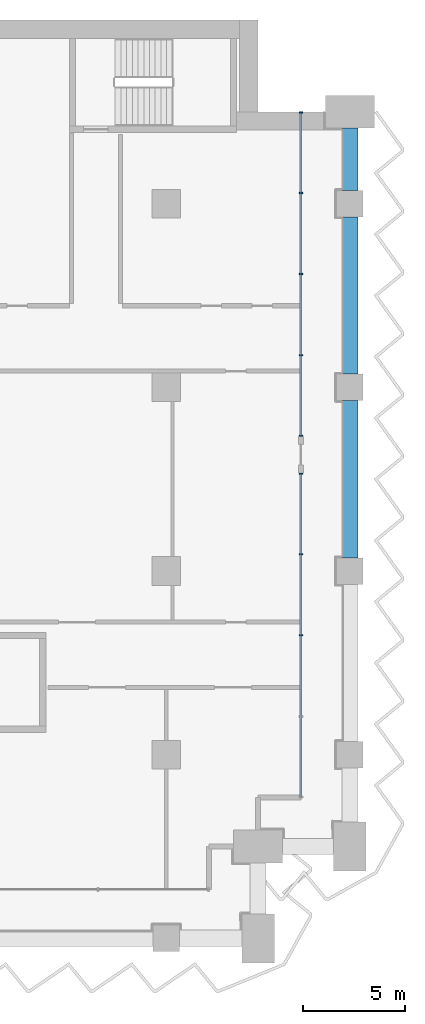
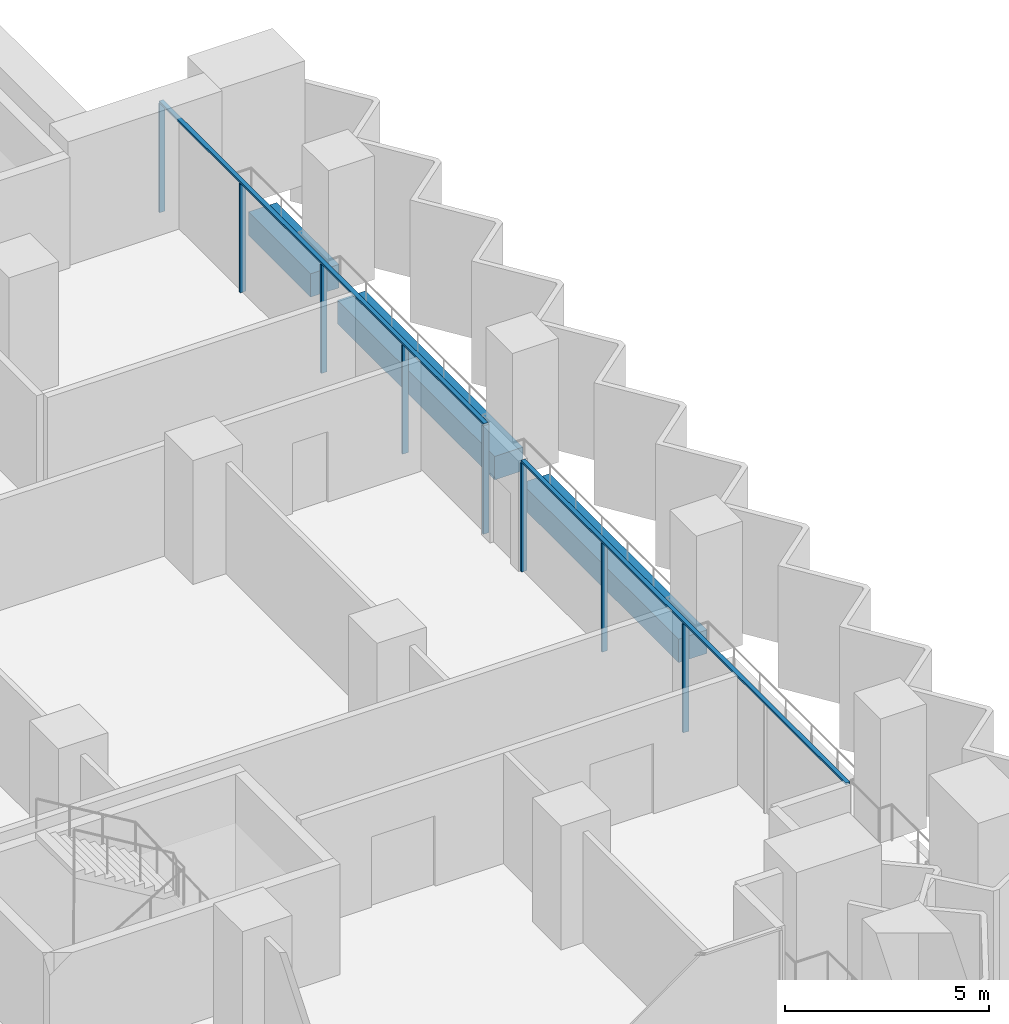
# One storey, part 7 of 28: 10 members, 3 beams, 2 elements without a shape of their own.
"""IFC4 building model written with IfcOpenShell, lengths in metres."""

import ifcopenshell
import ifcopenshell.guid

model = None  # the IFC model being written
_history = None  # IfcOwnerHistory: only IFC2X3 demands one
_inside = {}  # id of a spatial element -> (the spatial element, [elements in it])
_under = {}  # id of a project, library or spatial element -> (it, [spatial elements below it])
_declared = {}  # id of a project -> (the project, [libraries it declares])
_typed = {}  # id of a type object -> (the type object, [elements of that type])
_made_of = {}  # id of a material, layer set ... -> (it, [elements and type objects made of it])


def new_model(schema):
    """Start an empty IFC model of exactly this schema.

    Asked for "IFC4X3", IfcOpenShell would pick the latest addendum, in which some entities
    have other attributes; the version numbers below select the first issue.
    IFC2X3 requires an IfcOwnerHistory on every rooted entity: one is made here for all.
    """
    global model, _history
    if schema == "IFC4X3":
        model = ifcopenshell.file(schema_version=(4, 3, 0, 0))
    else:
        model = ifcopenshell.file(schema=schema)
    _inside.clear()
    _under.clear()
    _declared.clear()
    _typed.clear()
    _made_of.clear()
    _history = None
    if model.schema == "IFC2X3":
        org = make("IfcOrganization", Name="unknown")
        user = make(
            "IfcPersonAndOrganization",
            ThePerson=make("IfcPerson", FamilyName="unknown"),
            TheOrganization=org,
        )
        app = make(
            "IfcApplication",
            ApplicationDeveloper=org,
            Version="unknown",
            ApplicationFullName="unknown",
            ApplicationIdentifier="unknown",
        )
        _history = make(
            "IfcOwnerHistory",
            OwningUser=user,
            OwningApplication=app,
            ChangeAction="ADDED",
            CreationDate=0,
        )
    return model


def make(cls, **values):
    """One entity of the class cls with the attributes given. An attribute that is None is left unset."""
    return model.create_entity(
        cls, **{name: value for name, value in values.items() if value is not None}
    )


def rooted(cls, **values):
    """An entity with a GlobalId (a new one), such as an element, a storey or a relation."""
    return make(cls, GlobalId=ifcopenshell.guid.new(), OwnerHistory=_history, **values)


def si_unit(unit_type, name, prefix=None):
    """IfcSIUnit, for example si_unit("LENGTHUNIT", "METRE", prefix="MILLI")."""
    return make("IfcSIUnit", UnitType=unit_type, Prefix=prefix, Name=name)


def assignment(units):
    """IfcUnitAssignment: the units of a project."""
    return None if units is None else make("IfcUnitAssignment", Units=units)


def point(xyz):
    """IfcCartesianPoint."""
    return None if xyz is None else make("IfcCartesianPoint", Coordinates=xyz)


def direction(xyz):
    """IfcDirection."""
    return None if xyz is None else make("IfcDirection", DirectionRatios=xyz)


def frame(location, z_axis=None, x_axis=None):
    """IfcAxis2Placement3D, a coordinate frame: its origin and axes. An axis left out is left unset."""
    return make(
        "IfcAxis2Placement3D",
        Location=point(location),
        Axis=direction(z_axis),
        RefDirection=direction(x_axis),
    )


def frame_2d(location, x_axis=None):
    """IfcAxis2Placement2D, a coordinate frame in the plane: its origin and x axis."""
    return make(
        "IfcAxis2Placement2D", Location=point(location), RefDirection=direction(x_axis)
    )


def origin():
    """The frame at (0, 0, 0) with its axes left unset."""
    return frame((0.0, 0.0, 0.0))


def origin_2d():
    """The frame at (0, 0) in the plane with its x axis left unset."""
    return frame_2d((0.0, 0.0))


def place(relative_to, where):
    """IfcLocalPlacement: puts the frame where relative to a parent placement (None: the world)."""
    return make(
        "IfcLocalPlacement", PlacementRelTo=relative_to, RelativePlacement=where
    )


def context(
    kind, dimensions, precision=None, world=None, true_north=None, identifier=None
):
    """IfcGeometricRepresentationContext, for example the 3D "Model" context."""
    return make(
        "IfcGeometricRepresentationContext",
        ContextIdentifier=identifier,
        ContextType=kind,
        CoordinateSpaceDimension=dimensions,
        Precision=precision,
        WorldCoordinateSystem=world,
        TrueNorth=true_north,
    )


def subcontext(parent, identifier, kind, view, scale=None):
    """IfcGeometricRepresentationSubContext, for example "Body" below "Model"."""
    return make(
        "IfcGeometricRepresentationSubContext",
        ContextIdentifier=identifier,
        ContextType=kind,
        ParentContext=parent,
        TargetScale=scale,
        TargetView=view,
    )


def project(units=None, contexts=None):
    """IfcProject with its units and contexts."""
    return rooted(
        "IfcProject",
        Name="project",
        RepresentationContexts=contexts,
        UnitsInContext=assignment(units),
    )


def spatial(cls, under=None, at=None, **own):
    """A site, building, storey or space (cls), placed at a placement, below another one or the project."""
    s = rooted(cls, ObjectPlacement=at, **own)
    if under is not None:
        _under.setdefault(under.id(), (under, []))[1].append(s)
    return s


def profile(cls, at=None, kind="AREA", **sizes):
    """A parametric profile (cls). Its sizes go by their IFC names, for example OverallWidth=200.0."""
    return make(cls, ProfileType=kind, Position=at, **sizes)


def rectangle(**sizes):
    """IfcRectangleProfileDef."""
    return profile("IfcRectangleProfileDef", **sizes)


def extrude(swept, where, along, depth):
    """IfcExtrudedAreaSolid: the profile swept, set in the frame where, extruded along a direction by depth."""
    return make(
        "IfcExtrudedAreaSolid",
        SweptArea=swept,
        Position=where,
        ExtrudedDirection=direction(along),
        Depth=depth,
    )


def shape(context_of_items, identifier, shape_type, items):
    """IfcShapeRepresentation: the items that make up one representation, for example the "Body"."""
    return make(
        "IfcShapeRepresentation",
        ContextOfItems=context_of_items,
        RepresentationIdentifier=identifier,
        RepresentationType=shape_type,
        Items=items,
    )


def material(Name=None, Category=None):
    """IfcMaterial."""
    return make("IfcMaterial", Name=Name, Category=Category)


def material_profile(
    of_material, cross_section, Name=None, Category=None, Priority=None
):
    """IfcMaterialProfile: a cross section and its material."""
    return make(
        "IfcMaterialProfile",
        Name=Name,
        Material=of_material,
        Profile=cross_section,
        Priority=Priority,
        Category=Category,
    )


def profile_set(profiles, Name=None, composite=None):
    """IfcMaterialProfileSet."""
    return make(
        "IfcMaterialProfileSet",
        Name=Name,
        MaterialProfiles=profiles,
        CompositeProfile=composite,
    )


def made_of(thing, what):
    """Note that an element or type object is made of a material, layer set ...; save() writes the relation."""
    if what is not None:
        _made_of.setdefault(what.id(), (what, []))[1].append(thing)
    return thing


def type_object(cls, material=None, **own):
    """A type object (cls), such as IfcWallType, which elements share."""
    return made_of(rooted(cls, **own), material)


def element(
    cls,
    number,
    at=None,
    inside=None,
    cuts=None,
    type_object=None,
    material=None,
    context=None,
    identifier="Body",
    shape_type=None,
    held_by="IfcProductDefinitionShape",
    body=None,
    shapes=None,
    **own,
):
    """One element of the class cls, such as IfcWall. Its Tag is "e" and its number.

    at: its placement. inside: the storey or other place that contains it. cuts: it is an
    opening in that element (IfcRelVoidsElement). A single representation is given by context,
    identifier, shape_type and body (its items); several are given by shapes. held_by: the class
    of the entity that holds the representations. save() writes the other relations.
    """
    e = rooted(cls, Tag="e%d" % number, ObjectPlacement=at, **own)
    if body is not None:
        shapes = [shape(context, identifier, shape_type, body)]
    if shapes is not None:
        e.Representation = make(held_by, Representations=shapes)
    if inside is not None:
        _inside.setdefault(inside.id(), (inside, []))[1].append(e)
    if cuts is not None:
        rooted(
            "IfcRelVoidsElement", RelatingBuildingElement=cuts, RelatedOpeningElement=e
        )
    if type_object is not None:
        _typed.setdefault(type_object.id(), (type_object, []))[1].append(e)
    return made_of(e, material)


def aggregate(whole, parts):
    """IfcRelAggregates: a whole, such as a stair, and the parts it consists of."""
    return rooted("IfcRelAggregates", RelatingObject=whole, RelatedObjects=parts)


def save(model, path):
    """Write the relations noted so far, then the file.

    IfcRelAggregates (storeys below a building ...), IfcRelContainedInSpatialStructure (elements
    in a storey), IfcRelDefinesByType, IfcRelAssociatesMaterial and IfcRelDeclares: one each for
    every whole, place, type object, material and project.
    """
    for whole, parts in _under.values():
        aggregate(whole, parts)
    for where, things in _inside.values():
        rooted(
            "IfcRelContainedInSpatialStructure",
            RelatedElements=things,
            RelatingStructure=where,
        )
    for kind, things in _typed.values():
        rooted("IfcRelDefinesByType", RelatedObjects=things, RelatingType=kind)
    for what, things in _made_of.values():
        rooted("IfcRelAssociatesMaterial", RelatedObjects=things, RelatingMaterial=what)
    for by, libraries in _declared.values():
        rooted("IfcRelDeclares", RelatingContext=by, RelatedDefinitions=libraries)
    model.write(path)


model = new_model("IFC4")

# Units and contexts
model_context = context("Model", 3, precision=1e-05, world=origin(), true_north=direction((0.0, 1.0)))
body_context = subcontext(model_context, "Body", "Model", "MODEL_VIEW")
ifc_project = project(units=[si_unit("LENGTHUNIT", "METRE"), si_unit("AREAUNIT", "SQUARE_METRE"), si_unit("VOLUMEUNIT", "CUBIC_METRE"), si_unit("PLANEANGLEUNIT", "RADIAN"), si_unit("MASSUNIT", "GRAM", prefix="KILO")], contexts=[model_context])

# Site, building, storey
site_placement = place(None, origin())
site = spatial("IfcSite", under=ifc_project, at=site_placement, CompositionType="ELEMENT")
building_placement = place(site_placement, origin())
building = spatial("IfcBuilding", under=site, at=building_placement, Name="Hunhe Ridgeline Campus", CompositionType="ELEMENT")
storey_placement = place(building_placement, frame((0.0, 0.0, 58.0)))
storey = spatial("IfcBuildingStorey", under=building, at=storey_placement, Name="L13", CompositionType="ELEMENT", Elevation=58.0)

# Curtain wall, members
ifc_material_1 = material(Name="Aluminium 6063", Category="aluminium")
curtain_wall_type = type_object("IfcCurtainWallType", Name="Curtain wall CW-1", PredefinedType="NOTDEFINED", material=ifc_material_1)
curtain_wall_1_placement = place(storey_placement, origin())
curtain_wall_1 = element("IfcCurtainWall", 1, at=curtain_wall_1_placement, inside=storey, type_object=curtain_wall_type, Name="Curtain wall 15", PredefinedType="NOTDEFINED")
ifc_material_profile_1 = material_profile(ifc_material_1, rectangle(XDim=0.159912109375, YDim=0.06005859375, at=origin_2d()))
ifc_profile_set_1 = profile_set([ifc_material_profile_1], Name="Aluminium 6063")
member_type_1 = type_object("IfcMemberType", Name="CW-1 aluminium mullion", PredefinedType="MULLION", material=ifc_profile_set_1)
member_1_placement = place(storey_placement, frame((96.59912109375, 68.850830078125, 0.0), z_axis=(0.0, 0.0, 1.0), x_axis=(-1.0, 0.0, 0.0)))
member_1 = element("IfcMember", 2, at=member_1_placement, type_object=member_type_1, Name="CW-1 mullion 3", PredefinedType="MULLION", context=body_context, shape_type="SweptSolid", body=[
    extrude(rectangle(XDim=0.159912109375, YDim=0.06005859375, at=origin_2d()), origin(), (0.0, 0.0, 1.0), 3.239990234375),
])
member_2_placement = place(storey_placement, frame((96.59912109375, 72.82568359375, 0.0), z_axis=(0.0, 0.0, 1.0), x_axis=(-1.0, 0.0, 0.0)))
member_2 = element("IfcMember", 3, at=member_2_placement, type_object=member_type_1, Name="CW-1 mullion 4", PredefinedType="MULLION", context=body_context, shape_type="SweptSolid", body=[
    extrude(rectangle(XDim=0.159912109375, YDim=0.06005859375, at=origin_2d()), origin(), (0.0, 0.0, 1.0), 3.239990234375),
])
member_3_placement = place(storey_placement, frame((96.59912109375, 76.7705078125, 0.0), z_axis=(0.0, 0.0, 1.0), x_axis=(-1.0, 0.0, 0.0)))
member_3 = element("IfcMember", 4, at=member_3_placement, type_object=member_type_1, Name="CW-1 mullion 5", PredefinedType="MULLION", context=body_context, shape_type="SweptSolid", body=[
    extrude(rectangle(XDim=0.159912109375, YDim=0.06005859375, at=origin_2d()), origin(), (0.0, 0.0, 1.0), 3.239990234375),
])

curtain_wall_2_placement = place(storey_placement, origin())
curtain_wall_2 = element("IfcCurtainWall", 5, at=curtain_wall_2_placement, inside=storey, type_object=curtain_wall_type, Name="Curtain wall 16", PredefinedType="NOTDEFINED")
member_4_placement = place(storey_placement, frame((96.59912109375, 78.630615234375, 0.0), z_axis=(0.0, 0.0, 1.0), x_axis=(-1.0, 0.0, 0.0)))
member_4 = element("IfcMember", 6, at=member_4_placement, type_object=member_type_1, Name="CW-1 mullion 1", PredefinedType="MULLION", context=body_context, shape_type="SweptSolid", body=[
    extrude(rectangle(XDim=0.159912109375, YDim=0.06005859375, at=origin_2d()), origin(), (0.0, 0.0, 1.0), 3.239990234375),
])
member_5_placement = place(storey_placement, frame((96.59912109375, 82.575439453125, 0.0), z_axis=(0.0, 0.0, 1.0), x_axis=(-1.0, 0.0, 0.0)))
member_5 = element("IfcMember", 7, at=member_5_placement, type_object=member_type_1, Name="CW-1 mullion 2", PredefinedType="MULLION", context=body_context, shape_type="SweptSolid", body=[
    extrude(rectangle(XDim=0.159912109375, YDim=0.06005859375, at=origin_2d()), origin(), (0.0, 0.0, 1.0), 3.239990234375),
])
member_6_placement = place(storey_placement, frame((96.59912109375, 86.55029296875, 0.0), z_axis=(0.0, 0.0, 1.0), x_axis=(-1.0, 0.0, 0.0)))
member_6 = element("IfcMember", 8, at=member_6_placement, type_object=member_type_1, Name="CW-1 mullion 3", PredefinedType="MULLION", context=body_context, shape_type="SweptSolid", body=[
    extrude(rectangle(XDim=0.159912109375, YDim=0.06005859375, at=origin_2d()), origin(), (0.0, 0.0, 1.0), 3.239990234375),
])
member_7_placement = place(storey_placement, frame((96.59912109375, 90.525146484375, 0.0), z_axis=(0.0, 0.0, 1.0), x_axis=(-1.0, 0.0, 0.0)))
member_7 = element("IfcMember", 9, at=member_7_placement, type_object=member_type_1, Name="CW-1 mullion 4", PredefinedType="MULLION", context=body_context, shape_type="SweptSolid", body=[
    extrude(rectangle(XDim=0.159912109375, YDim=0.06005859375, at=origin_2d()), origin(), (0.0, 0.0, 1.0), 3.239990234375),
])
member_8_placement = place(storey_placement, frame((96.59912109375, 94.469970703125, 0.0), z_axis=(0.0, 0.0, 1.0), x_axis=(-1.0, 0.0, 0.0)))
member_8 = element("IfcMember", 10, at=member_8_placement, type_object=member_type_1, Name="CW-1 mullion 5", PredefinedType="MULLION", context=body_context, shape_type="SweptSolid", body=[
    extrude(rectangle(XDim=0.159912109375, YDim=0.06005859375, at=origin_2d()), origin(), (0.0, 0.0, 1.0), 3.239990234375),
])

# Member
ifc_material_profile_2 = material_profile(ifc_material_1, rectangle(XDim=0.1201171875, YDim=0.06005859375, at=origin_2d()))
ifc_profile_set_2 = profile_set([ifc_material_profile_2], Name="Aluminium 6063")
member_type_2 = type_object("IfcMemberType", Name="CW-1 aluminium transom", PredefinedType="USERDEFINED", material=ifc_profile_set_2)
member_9_placement = place(storey_placement, frame((96.59912109375, 60.90087890625, 3.27001953125), z_axis=(0.0, 1.0, 0.0), x_axis=(-1.0, 0.0, 0.0)))
member_9 = element("IfcMember", 11, at=member_9_placement, type_object=member_type_2, Name="CW-1 transom 1", ObjectType="TRANSOM", PredefinedType="USERDEFINED", context=body_context, shape_type="SweptSolid", body=[
    extrude(rectangle(XDim=0.1201171875, YDim=0.06005859375, at=origin_2d()), origin(), (0.0, 0.0, 1.0), 15.899658203125),
])

aggregate(curtain_wall_1, [member_9, member_1, member_2, member_3])

member_10_placement = place(storey_placement, frame((96.59912109375, 78.6005859375, 3.27001953125), z_axis=(0.0, 1.0, 0.0), x_axis=(-1.0, 0.0, 0.0)))
member_10 = element("IfcMember", 12, at=member_10_placement, type_object=member_type_2, Name="CW-1 transom 1", ObjectType="TRANSOM", PredefinedType="USERDEFINED", context=body_context, shape_type="SweptSolid", body=[
    extrude(rectangle(XDim=0.1201171875, YDim=0.06005859375, at=origin_2d()), origin(), (0.0, 0.0, 1.0), 15.8994140625),
])

aggregate(curtain_wall_2, [member_10, member_4, member_5, member_6, member_7, member_8])

# Beams
ifc_material_2 = material(Name="Concrete C60", Category="concrete")
ifc_material_profile_3 = material_profile(ifc_material_2, rectangle(XDim=0.800048828125, YDim=0.699951171875, at=origin_2d()))
ifc_profile_set_3 = profile_set([ifc_material_profile_3], Name="Concrete C60")
beam_type = type_object("IfcBeamType", Name="RC spandrel beam 800x700 Concrete C60", PredefinedType="SPANDREL", material=ifc_profile_set_3)
for number, where, z_axis, x_axis, name in (
    (13, (99.0, 72.64990234375, -0.60009765625), (0.0, 1.0, 0.0), (-1.0, 0.0, 0.0), "Spandrel beam B1-22 L13"),
    (14, (99.0, 81.64990234375, -0.60009765625), (0.0, 1.0, 0.0), (-1.0, 0.0, 0.0), "Spandrel beam B1-23 L13"),
):
    element("IfcBeam", number, at=place(storey_placement, frame(where, z_axis=z_axis, x_axis=x_axis)), inside=storey, type_object=beam_type, Name=name, PredefinedType="SPANDREL", context=body_context, shape_type="SweptSolid", body=[
        extrude(rectangle(XDim=0.800048828125, YDim=0.699951171875, at=origin_2d()), origin(), (0.0, 0.0, 1.0), 7.7001953125),
    ])
beam_placement = place(storey_placement, frame((99.0, 90.64990234375, -0.60009765625), z_axis=(0.0, 1.0, 0.0), x_axis=(-1.0, 0.0, 0.0)))
element("IfcBeam", 15, at=beam_placement, inside=storey, type_object=beam_type, Name="Spandrel beam B1-24 L13", PredefinedType="SPANDREL", context=body_context, shape_type="SweptSolid", body=[
    extrude(rectangle(XDim=0.800048828125, YDim=0.699951171875, at=origin_2d()), origin(), (0.0, 0.0, 1.0), 3.050048828125),
])

save(model, "model.ifc")
